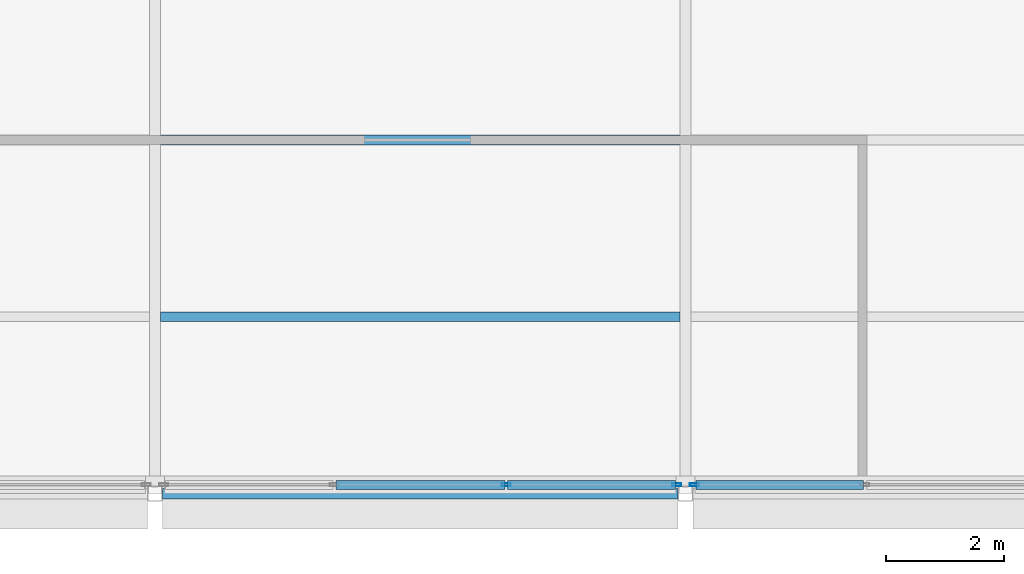
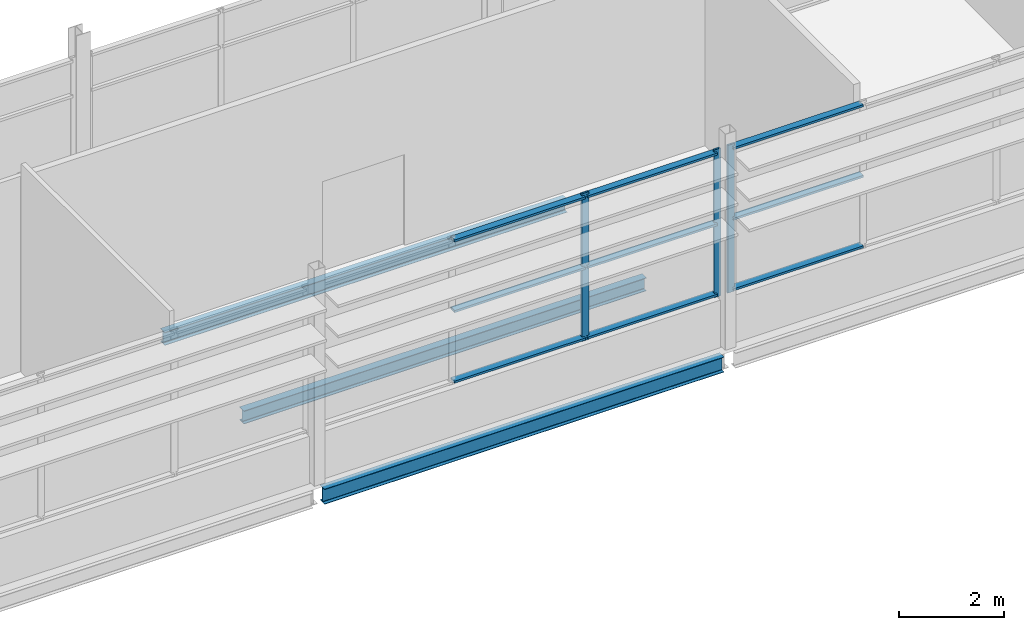
# One storey, part 29 of 61: 12 members, 3 beams, 2 elements without a shape of their own.
"""IFC4 building model written with IfcOpenShell, lengths in metres."""

from ifc_helpers import new_model, si_unit, direction, frame, origin, origin_2d, place, context, subcontext, project, spatial, hollow_rectangle, i_section, extrude, material, layer, layer_set, material_profile, profile_set, type_object, element, aggregate, save


model = new_model("IFC4")

# Units and contexts
model_context = context("Model", 3, precision=1e-05, world=origin(), true_north=direction((0.0, 1.0)))
body_context = subcontext(model_context, "Body", "Model", "MODEL_VIEW")
ifc_project = project(units=[si_unit("LENGTHUNIT", "METRE"), si_unit("AREAUNIT", "SQUARE_METRE"), si_unit("VOLUMEUNIT", "CUBIC_METRE"), si_unit("PLANEANGLEUNIT", "RADIAN"), si_unit("MASSUNIT", "GRAM", prefix="KILO")], contexts=[model_context])

# Site, building, storey
site_placement = place(None, origin())
site = spatial("IfcSite", under=ifc_project, at=site_placement, CompositionType="ELEMENT")
building_placement = place(site_placement, origin())
building = spatial("IfcBuilding", under=site, at=building_placement, Name="Shorebreak Coast Museum", CompositionType="ELEMENT")
storey_placement = place(building_placement, frame((0.0, 0.0, 26.0)))
storey = spatial("IfcBuildingStorey", under=building, at=storey_placement, Name="L04", CompositionType="ELEMENT", Elevation=26.0)

# Beams
ifc_material_1 = material(Name="Steel Grade 300", Category="steel")
ifc_material_profile_1 = material_profile(ifc_material_1, i_section(OverallWidth=0.1708984375, OverallDepth=0.35205078125, WebThickness=0.0068359375, FlangeThickness=0.009765625, FilletRadius=0.011474609375, at=origin_2d()), Name="360UB44.7")
ifc_profile_set_1 = profile_set([ifc_material_profile_1], Name="Steel Grade 300")
beam_type_1 = type_object("IfcBeamType", Name="Floor girder east-west 360UB44.7", PredefinedType="BEAM", material=ifc_profile_set_1)
beam_placement = place(storey_placement, frame((90.125, 54.0, -0.35107421875), z_axis=(1.0, 0.0, 0.0), x_axis=(0.0, 1.0, 0.0)))
element("IfcBeam", 1, at=beam_placement, inside=storey, type_object=beam_type_1, Name="Floor girder east-west L04 11G", PredefinedType="BEAM", context=body_context, shape_type="SweptSolid", body=[
    extrude(i_section(OverallWidth=0.1708984375, OverallDepth=0.35205078125, WebThickness=0.0068359375, FlangeThickness=0.009765625, FilletRadius=0.011474609375, at=origin_2d()), origin(), (0.0, 0.0, 1.0), 8.75),
])
ifc_material_2 = material(Name="Steel Grade 300", Category="steel")
ifc_material_profile_2 = material_profile(ifc_material_2, i_section(OverallWidth=0.1650390625, OverallDepth=0.303955078125, WebThickness=0.006103515625, FlangeThickness=0.01025390625, FilletRadius=0.011474609375, at=origin_2d()), Name="310UB40.4")
ifc_profile_set_2 = profile_set([ifc_material_profile_2], Name="Steel Grade 300")
beam_type_2 = type_object("IfcBeamType", Name="Floor joist 310UB40.4", PredefinedType="JOIST", material=ifc_profile_set_2)
for number, where, z_axis, x_axis, name in (
    (2, (90.094970703125, 57.0, -0.326904296875), (1.0, 0.0, 0.0), (0.0, 1.0, 0.0), "Floor joist L04 bay 11G at 3000 mm"),
    (3, (90.094970703125, 60.0, -0.326904296875), (1.0, 0.0, 0.0), (0.0, 1.0, 0.0), "Floor joist L04 bay 11G at 6000 mm"),
):
    element("IfcBeam", number, at=place(storey_placement, frame(where, z_axis=z_axis, x_axis=x_axis)), inside=storey, type_object=beam_type_2, Name=name, PredefinedType="JOIST", context=body_context, shape_type="SweptSolid", body=[
        extrude(i_section(OverallWidth=0.1650390625, OverallDepth=0.303955078125, WebThickness=0.006103515625, FlangeThickness=0.01025390625, FilletRadius=0.011474609375, at=origin_2d()), origin(), (0.0, 0.0, 1.0), 8.81005859375),
    ])

# Curtain wall, members
ifc_material_3 = material(Name="Aluminium", Category="aluminium")
ifc_layer = layer(ifc_material_3, 0.14990234375)
ifc_layer_set = layer_set([ifc_layer], Name="Aluminium")
curtain_wall_type = type_object("IfcCurtainWallType", Name="Storefront curtain wall", PredefinedType="NOTDEFINED", material=ifc_layer_set)
curtain_wall_1_placement = place(storey_placement, origin())
curtain_wall_1 = element("IfcCurtainWall", 4, at=curtain_wall_1_placement, inside=storey, type_object=curtain_wall_type, Name="Atrium Hall glazing L04 S 7", PredefinedType="NOTDEFINED")
ifc_material_4 = material(Name="Aluminium", Category="aluminium")
ifc_material_profile_3 = material_profile(ifc_material_4, hollow_rectangle(XDim=0.050048828125, YDim=0.14990234375, WallThickness=0.00390625, at=origin_2d()), Name="AL 150x50 RHS")
ifc_profile_set_3 = profile_set([ifc_material_profile_3], Name="Aluminium")
member_type_1 = type_object("IfcMemberType", Name="Storefront mullion 50 x 150", PredefinedType="MULLION", material=ifc_profile_set_3)
member_1_placement = place(storey_placement, frame((95.958251953125, 54.14990234375, 1.10009765625), z_axis=(0.0, 0.0, 1.0), x_axis=(0.0, 1.0, 0.0)))
member_1 = element("IfcMember", 5, at=member_1_placement, type_object=member_type_1, Name="CW5 mullion 3", PredefinedType="MULLION", context=body_context, shape_type="SweptSolid", body=[
    extrude(hollow_rectangle(XDim=0.050048828125, YDim=0.14990234375, WallThickness=0.00390625, at=origin_2d()), origin(), (0.0, 0.0, 1.0), 3.417724609375),
])
member_2_placement = place(storey_placement, frame((98.85009765625, 54.14990234375, 1.10009765625), z_axis=(0.0, 0.0, 1.0), x_axis=(0.0, 1.0, 0.0)))
member_2 = element("IfcMember", 6, at=member_2_placement, type_object=member_type_1, Name="CW5 mullion 4", PredefinedType="MULLION", context=body_context, shape_type="SweptSolid", body=[
    extrude(hollow_rectangle(XDim=0.050048828125, YDim=0.14990234375, WallThickness=0.00390625, at=origin_2d()), origin(), (0.0, 0.0, 1.0), 3.417724609375),
])

# Curtain wall, member
curtain_wall_2_placement = place(storey_placement, origin())
curtain_wall_2 = element("IfcCurtainWall", 7, at=curtain_wall_2_placement, inside=storey, type_object=curtain_wall_type, Name="Atrium Hall glazing L04 S 8", PredefinedType="NOTDEFINED")
member_3_placement = place(storey_placement, frame((99.14990234375, 54.14990234375, 1.10009765625), z_axis=(0.0, 0.0, 1.0), x_axis=(0.0, 1.0, 0.0)))
member_3 = element("IfcMember", 8, at=member_3_placement, type_object=member_type_1, Name="CW5 mullion 1", PredefinedType="MULLION", context=body_context, shape_type="SweptSolid", body=[
    extrude(hollow_rectangle(XDim=0.050048828125, YDim=0.14990234375, WallThickness=0.00390625, at=origin_2d()), origin(), (0.0, 0.0, 1.0), 3.417724609375),
])

# Member
ifc_material_5 = material(Name="Aluminium", Category="aluminium")
ifc_material_profile_4 = material_profile(ifc_material_5, hollow_rectangle(XDim=0.14990234375, YDim=0.050048828125, WallThickness=0.00390625, at=origin_2d()), Name="AL 50x150 RHS")
ifc_profile_set_4 = profile_set([ifc_material_profile_4], Name="Aluminium")
member_type_2 = type_object("IfcMemberType", Name="Storefront transom 150 x 50", PredefinedType="USERDEFINED", material=ifc_profile_set_4)
member_4_placement = place(storey_placement, frame((93.066650390625, 54.14990234375, 1.175048828125), z_axis=(1.0, 0.0, 0.0), x_axis=(0.0, 1.0, 0.0)))
member_4 = element("IfcMember", 9, at=member_4_placement, type_object=member_type_2, Name="CW5 transom 2.1", ObjectType="TRANSOM", PredefinedType="USERDEFINED", context=body_context, shape_type="SweptSolid", body=[
    extrude(hollow_rectangle(XDim=0.14990234375, YDim=0.050048828125, WallThickness=0.00390625, at=origin_2d()), origin(), (0.0, 0.0, 1.0), 2.86669921875),
])

member_5_placement = place(storey_placement, frame((93.066650390625, 54.14990234375, 2.808837890625), z_axis=(1.0, 0.0, 0.0), x_axis=(0.0, 1.0, 0.0)))
member_5 = element("IfcMember", 10, at=member_5_placement, type_object=member_type_2, Name="CW5 transom 2.2", ObjectType="TRANSOM", PredefinedType="USERDEFINED", context=body_context, shape_type="SweptSolid", body=[
    extrude(hollow_rectangle(XDim=0.14990234375, YDim=0.050048828125, WallThickness=0.00390625, at=origin_2d()), origin(), (0.0, 0.0, 1.0), 2.86669921875),
])

member_6_placement = place(storey_placement, frame((93.066650390625, 54.14990234375, 4.44287109375), z_axis=(1.0, 0.0, 0.0), x_axis=(0.0, 1.0, 0.0)))
member_6 = element("IfcMember", 11, at=member_6_placement, type_object=member_type_2, Name="CW5 transom 2.3", ObjectType="TRANSOM", PredefinedType="USERDEFINED", context=body_context, shape_type="SweptSolid", body=[
    extrude(hollow_rectangle(XDim=0.14990234375, YDim=0.050048828125, WallThickness=0.00390625, at=origin_2d()), origin(), (0.0, 0.0, 1.0), 2.86669921875),
])

member_7_placement = place(storey_placement, frame((95.9833984375, 54.14990234375, 1.175048828125), z_axis=(1.0, 0.0, 0.0), x_axis=(0.0, 1.0, 0.0)))
member_7 = element("IfcMember", 12, at=member_7_placement, type_object=member_type_2, Name="CW5 transom 3.1", ObjectType="TRANSOM", PredefinedType="USERDEFINED", context=body_context, shape_type="SweptSolid", body=[
    extrude(hollow_rectangle(XDim=0.14990234375, YDim=0.050048828125, WallThickness=0.00390625, at=origin_2d()), origin(), (0.0, 0.0, 1.0), 2.841552734375),
])

member_8_placement = place(storey_placement, frame((95.9833984375, 54.14990234375, 2.808837890625), z_axis=(1.0, 0.0, 0.0), x_axis=(0.0, 1.0, 0.0)))
member_8 = element("IfcMember", 13, at=member_8_placement, type_object=member_type_2, Name="CW5 transom 3.2", ObjectType="TRANSOM", PredefinedType="USERDEFINED", context=body_context, shape_type="SweptSolid", body=[
    extrude(hollow_rectangle(XDim=0.14990234375, YDim=0.050048828125, WallThickness=0.00390625, at=origin_2d()), origin(), (0.0, 0.0, 1.0), 2.841552734375),
])

member_9_placement = place(storey_placement, frame((95.9833984375, 54.14990234375, 4.44287109375), z_axis=(1.0, 0.0, 0.0), x_axis=(0.0, 1.0, 0.0)))
member_9 = element("IfcMember", 14, at=member_9_placement, type_object=member_type_2, Name="CW5 transom 3.3", ObjectType="TRANSOM", PredefinedType="USERDEFINED", context=body_context, shape_type="SweptSolid", body=[
    extrude(hollow_rectangle(XDim=0.14990234375, YDim=0.050048828125, WallThickness=0.00390625, at=origin_2d()), origin(), (0.0, 0.0, 1.0), 2.841552734375),
])

aggregate(curtain_wall_1, [member_1, member_2, member_4, member_5, member_6, member_7, member_8, member_9])

member_10_placement = place(storey_placement, frame((99.175048828125, 54.14990234375, 1.175048828125), z_axis=(1.0, 0.0, 0.0), x_axis=(0.0, 1.0, 0.0)))
member_10 = element("IfcMember", 15, at=member_10_placement, type_object=member_type_2, Name="CW5 transom 1.1", ObjectType="TRANSOM", PredefinedType="USERDEFINED", context=body_context, shape_type="SweptSolid", body=[
    extrude(hollow_rectangle(XDim=0.14990234375, YDim=0.050048828125, WallThickness=0.00390625, at=origin_2d()), origin(), (0.0, 0.0, 1.0), 2.841552734375),
])

member_11_placement = place(storey_placement, frame((99.175048828125, 54.14990234375, 2.808837890625), z_axis=(1.0, 0.0, 0.0), x_axis=(0.0, 1.0, 0.0)))
member_11 = element("IfcMember", 16, at=member_11_placement, type_object=member_type_2, Name="CW5 transom 1.2", ObjectType="TRANSOM", PredefinedType="USERDEFINED", context=body_context, shape_type="SweptSolid", body=[
    extrude(hollow_rectangle(XDim=0.14990234375, YDim=0.050048828125, WallThickness=0.00390625, at=origin_2d()), origin(), (0.0, 0.0, 1.0), 2.841552734375),
])

member_12_placement = place(storey_placement, frame((99.175048828125, 54.14990234375, 4.44287109375), z_axis=(1.0, 0.0, 0.0), x_axis=(0.0, 1.0, 0.0)))
member_12 = element("IfcMember", 17, at=member_12_placement, type_object=member_type_2, Name="CW5 transom 1.3", ObjectType="TRANSOM", PredefinedType="USERDEFINED", context=body_context, shape_type="SweptSolid", body=[
    extrude(hollow_rectangle(XDim=0.14990234375, YDim=0.050048828125, WallThickness=0.00390625, at=origin_2d()), origin(), (0.0, 0.0, 1.0), 2.841552734375),
])

aggregate(curtain_wall_2, [member_3, member_10, member_11, member_12])

save(model, "model.ifc")
